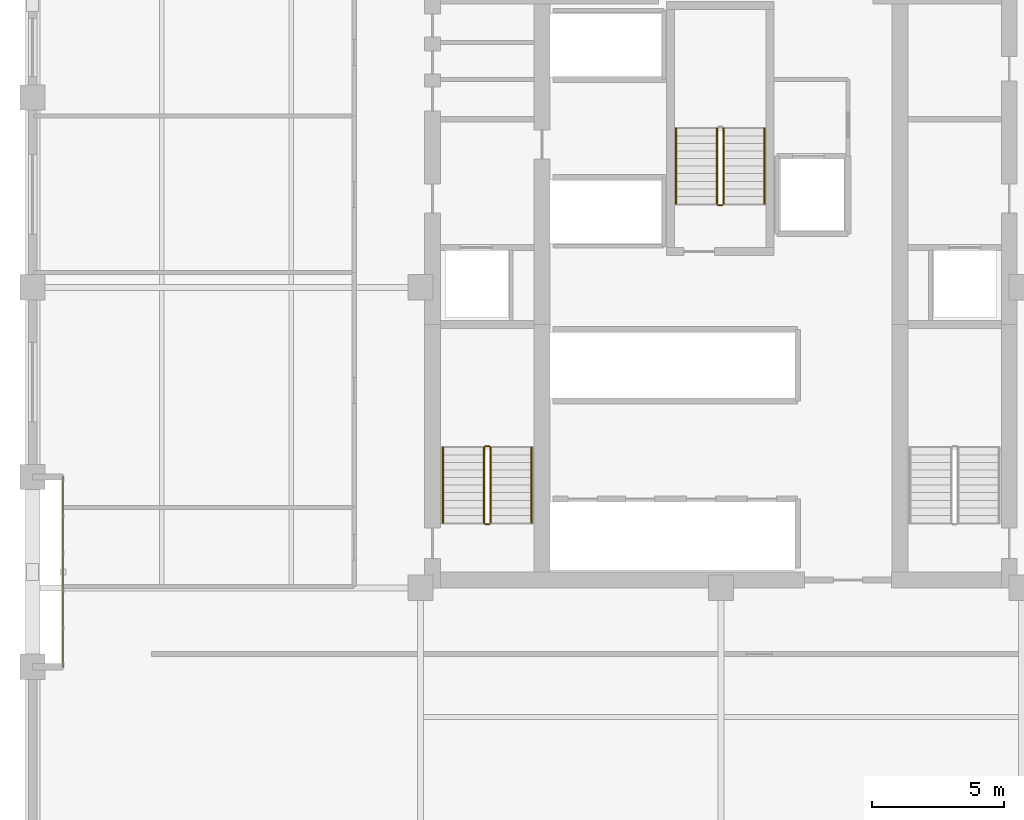
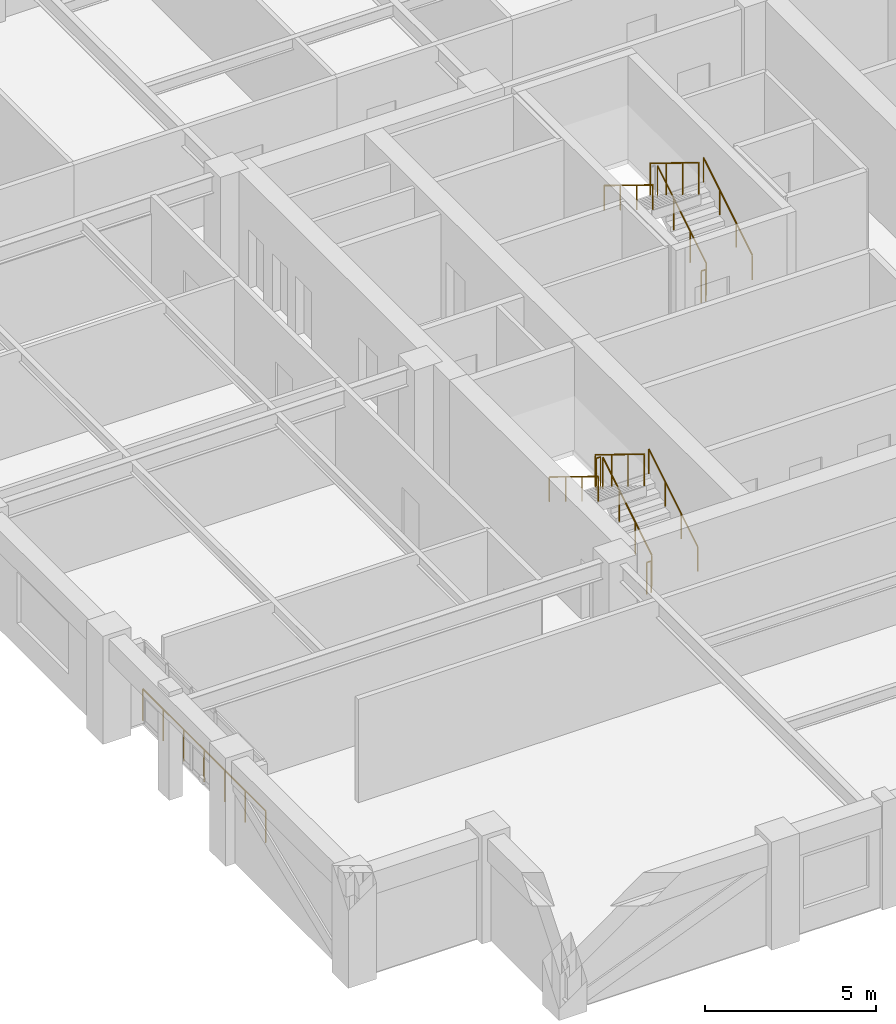
# One storey, part 10 of 11: 12 railings.
"""IFC4 building model written with IfcOpenShell, lengths in metres."""

from ifc_helpers import new_model, si_unit, direction, frame, origin, origin_2d, place, context, subcontext, project, spatial, circle, extrude, material, type_object, element, save


model = new_model("IFC4")

# Units and contexts
model_context = context("Model", 3, precision=1e-05, world=origin(), true_north=direction((0.0, 1.0)))
body_context = subcontext(model_context, "Body", "Model", "MODEL_VIEW")
ifc_project = project(units=[si_unit("LENGTHUNIT", "METRE"), si_unit("AREAUNIT", "SQUARE_METRE"), si_unit("VOLUMEUNIT", "CUBIC_METRE"), si_unit("PLANEANGLEUNIT", "RADIAN"), si_unit("MASSUNIT", "GRAM", prefix="KILO")], contexts=[model_context])

# Site, building, storey
site_placement = place(None, origin())
site = spatial("IfcSite", under=ifc_project, at=site_placement, CompositionType="ELEMENT")
building_placement = place(site_placement, origin())
building = spatial("IfcBuilding", under=site, at=building_placement, Name="Nhamokura Convention Tower", CompositionType="ELEMENT")
storey_placement = place(building_placement, frame((0.0, 0.0, 168.35009765625)))
storey = spatial("IfcBuildingStorey", under=building, at=storey_placement, Name="L41", CompositionType="ELEMENT", Elevation=168.35009765625)

# Railings
ifc_material_1 = material(Name="Anodised bronze stainless steel", Category="steel")
railing_type_1 = type_object("IfcRailingType", Name="StairWallHandrail_900", PredefinedType="HANDRAIL", material=ifc_material_1)
railing_1_placement = place(storey_placement, frame((24.85009765625, 23.10009765625, 0.1748046875)))
element("IfcRailing", 1, at=railing_1_placement, inside=storey, type_object=railing_type_1, Name="L41 ST-01 stair handrail 1", PredefinedType="HANDRAIL", context=body_context, shape_type="SweptSolid", body=[
    extrude(circle(Radius=0.02392578125, at=origin_2d()), frame((0.0, 0.0, 0.8759765625), z_axis=(0.0, 0.852159232446, 0.523282564737), x_axis=(-1.0, 0.0, 0.0)), (0.0, 0.0, 1.0), 3.34423828125),
    extrude(circle(Radius=0.02099609375, at=origin_2d()), origin(), (0.0, 0.0, 1.0), 0.851806640625),
    extrude(circle(Radius=0.02099609375, at=origin_2d()), frame((0.0, 0.949951171875, 0.583251953125)), (0.0, 0.0, 1.0), 0.851806640625),
    extrude(circle(Radius=0.02099609375, at=origin_2d()), frame((0.0, 1.89990234375, 1.166748046875)), (0.0, 0.0, 1.0), 0.851806640625),
    extrude(circle(Radius=0.02099609375, at=origin_2d()), frame((0.0, 2.849853515625, 1.75)), (0.0, 0.0, 1.0), 0.851806640625),
])
railing_2_placement = place(storey_placement, frame((21.5, 25.949951171875, 2.099853515625)))
element("IfcRailing", 2, at=railing_2_placement, inside=storey, type_object=railing_type_1, Name="L41 ST-01 stair handrail 2", PredefinedType="HANDRAIL", context=body_context, shape_type="SweptSolid", body=[
    extrude(circle(Radius=0.02392578125, at=origin_2d()), frame((0.0, 0.0, 0.8759765625), z_axis=(0.0, -0.852159232446, 0.523282564737), x_axis=(1.0, 0.0, 0.0)), (0.0, 0.0, 1.0), 3.34423828125),
    extrude(circle(Radius=0.02099609375, at=origin_2d()), origin(), (0.0, 0.0, 1.0), 0.851806640625),
    extrude(circle(Radius=0.02099609375, at=origin_2d()), frame((0.0, -0.949951171875, 0.583251953125)), (0.0, 0.0, 1.0), 0.851806640625),
    extrude(circle(Radius=0.02099609375, at=origin_2d()), frame((0.0, -1.89990234375, 1.166748046875)), (0.0, 0.0, 1.0), 0.851806640625),
    extrude(circle(Radius=0.02099609375, at=origin_2d()), frame((0.0, -2.849853515625, 1.75)), (0.0, 0.0, 1.0), 0.851806640625),
])
railing_3_placement = place(storey_placement, frame((33.64990234375, 35.14990234375, 0.1748046875)))
element("IfcRailing", 3, at=railing_3_placement, inside=storey, type_object=railing_type_1, Name="L41 ST-03 stair handrail 1", PredefinedType="HANDRAIL", context=body_context, shape_type="SweptSolid", body=[
    extrude(circle(Radius=0.02392578125, at=origin_2d()), frame((0.0, 0.0, 0.8759765625), z_axis=(0.0, 0.852179220489, 0.52325001306), x_axis=(-1.0, 0.0, 0.0)), (0.0, 0.0, 1.0), 3.344482421875),
    extrude(circle(Radius=0.02099609375, at=origin_2d()), origin(), (0.0, 0.0, 1.0), 0.851806640625),
    extrude(circle(Radius=0.02099609375, at=origin_2d()), frame((0.0, 0.949951171875, 0.583251953125)), (0.0, 0.0, 1.0), 0.851806640625),
    extrude(circle(Radius=0.02099609375, at=origin_2d()), frame((0.0, 1.900146484375, 1.166748046875)), (0.0, 0.0, 1.0), 0.851806640625),
    extrude(circle(Radius=0.02099609375, at=origin_2d()), frame((0.0, 2.85009765625, 1.75)), (0.0, 0.0, 1.0), 0.851806640625),
])
railing_4_placement = place(storey_placement, frame((30.300048828125, 38.0, 2.099853515625)))
element("IfcRailing", 4, at=railing_4_placement, inside=storey, type_object=railing_type_1, Name="L41 ST-03 stair handrail 2", PredefinedType="HANDRAIL", context=body_context, shape_type="SweptSolid", body=[
    extrude(circle(Radius=0.02392578125, at=origin_2d()), frame((0.0, 0.0, 0.8759765625), z_axis=(0.0, -0.852179220489, 0.52325001306), x_axis=(1.0, 0.0, 0.0)), (0.0, 0.0, 1.0), 3.344482421875),
    extrude(circle(Radius=0.02099609375, at=origin_2d()), origin(), (0.0, 0.0, 1.0), 0.851806640625),
    extrude(circle(Radius=0.02099609375, at=origin_2d()), frame((0.0, -0.949951171875, 0.583251953125)), (0.0, 0.0, 1.0), 0.851806640625),
    extrude(circle(Radius=0.02099609375, at=origin_2d()), frame((0.0, -1.900146484375, 1.166748046875)), (0.0, 0.0, 1.0), 0.851806640625),
    extrude(circle(Radius=0.02099609375, at=origin_2d()), frame((0.0, -2.85009765625, 1.75)), (0.0, 0.0, 1.0), 0.851806640625),
])
ifc_material_2 = material(Name="Painted tubular steel", Category="steel")
railing_type_2 = type_object("IfcRailingType", Name="StairWellGuardrail_1150", PredefinedType="GUARDRAIL", material=ifc_material_2)
railing_5_placement = place(storey_placement, frame((23.300048828125, 23.10009765625, 0.1748046875)))
element("IfcRailing", 5, at=railing_5_placement, inside=storey, type_object=railing_type_2, Name="L41 ST-01 stair guard 1", PredefinedType="GUARDRAIL", context=body_context, shape_type="SweptSolid", body=[
    extrude(circle(Radius=0.02392578125, at=origin_2d()), frame((0.0, 0.0, 1.1259765625), z_axis=(0.0, 0.852159232446, 0.523282564737), x_axis=(-1.0, 0.0, 0.0)), (0.0, 0.0, 1.0), 3.34423828125),
    extrude(circle(Radius=0.02099609375, at=origin_2d()), origin(), (0.0, 0.0, 1.0), 1.101806640625),
    extrude(circle(Radius=0.02099609375, at=origin_2d()), frame((0.0, 0.949951171875, 0.583251953125)), (0.0, 0.0, 1.0), 1.101806640625),
    extrude(circle(Radius=0.02099609375, at=origin_2d()), frame((0.0, 1.89990234375, 1.166748046875)), (0.0, 0.0, 1.0), 1.101806640625),
    extrude(circle(Radius=0.02099609375, at=origin_2d()), frame((0.0, 2.849853515625, 1.75)), (0.0, 0.0, 1.0), 1.101806640625),
])
railing_6_placement = place(storey_placement, frame((23.25, 26.0, 1.9248046875)))
element("IfcRailing", 6, at=railing_6_placement, inside=storey, type_object=railing_type_2, Name="L41 ST-01 stair guard 2", PredefinedType="GUARDRAIL", context=body_context, shape_type="SweptSolid", body=[
    extrude(circle(Radius=0.02392578125, at=origin_2d()), frame((0.0, 0.0, 1.1259765625), z_axis=(-1.0, 0.0, 0.0), x_axis=(0.0, -1.0, 0.0)), (0.0, 0.0, 1.0), 0.14990234375),
    extrude(circle(Radius=0.02099609375, at=origin_2d()), origin(), (0.0, 0.0, 1.0), 1.101806640625),
    extrude(circle(Radius=0.02099609375, at=origin_2d()), frame((-0.14990234375, 0.0, 0.0)), (0.0, 0.0, 1.0), 1.101806640625),
])
railing_7_placement = place(storey_placement, frame((23.050048828125, 25.949951171875, 2.099853515625)))
element("IfcRailing", 7, at=railing_7_placement, inside=storey, type_object=railing_type_2, Name="L41 ST-01 stair guard 3", PredefinedType="GUARDRAIL", context=body_context, shape_type="SweptSolid", body=[
    extrude(circle(Radius=0.02392578125, at=origin_2d()), frame((0.0, 0.0, 1.1259765625), z_axis=(0.0, -0.852159232446, 0.523282564737), x_axis=(1.0, 0.0, 0.0)), (0.0, 0.0, 1.0), 3.34423828125),
    extrude(circle(Radius=0.02099609375, at=origin_2d()), origin(), (0.0, 0.0, 1.0), 1.101806640625),
    extrude(circle(Radius=0.02099609375, at=origin_2d()), frame((0.0, -0.949951171875, 0.583251953125)), (0.0, 0.0, 1.0), 1.101806640625),
    extrude(circle(Radius=0.02099609375, at=origin_2d()), frame((0.0, -1.89990234375, 1.166748046875)), (0.0, 0.0, 1.0), 1.101806640625),
    extrude(circle(Radius=0.02099609375, at=origin_2d()), frame((0.0, -2.849853515625, 1.75)), (0.0, 0.0, 1.0), 1.101806640625),
])
railing_8_placement = place(storey_placement, frame((23.25, 23.050048828125, 0.0)))
element("IfcRailing", 8, at=railing_8_placement, inside=storey, type_object=railing_type_2, Name="L41 ST-01 stair guard 4", PredefinedType="GUARDRAIL", context=body_context, shape_type="SweptSolid", body=[
    extrude(circle(Radius=0.02392578125, at=origin_2d()), frame((0.0, 0.0, 1.1259765625), z_axis=(-1.0, 0.0, 0.0), x_axis=(0.0, -1.0, 0.0)), (0.0, 0.0, 1.0), 0.14990234375),
    extrude(circle(Radius=0.02099609375, at=origin_2d()), origin(), (0.0, 0.0, 1.0), 1.101806640625),
    extrude(circle(Radius=0.02099609375, at=origin_2d()), frame((-0.14990234375, 0.0, 0.0)), (0.0, 0.0, 1.0), 1.101806640625),
])
railing_9_placement = place(storey_placement, frame((32.10009765625, 35.14990234375, 0.1748046875)))
element("IfcRailing", 9, at=railing_9_placement, inside=storey, type_object=railing_type_2, Name="L41 ST-03 stair guard 1", PredefinedType="GUARDRAIL", context=body_context, shape_type="SweptSolid", body=[
    extrude(circle(Radius=0.02392578125, at=origin_2d()), frame((0.0, 0.0, 1.1259765625), z_axis=(0.0, 0.852179220489, 0.52325001306), x_axis=(-1.0, 0.0, 0.0)), (0.0, 0.0, 1.0), 3.344482421875),
    extrude(circle(Radius=0.02099609375, at=origin_2d()), origin(), (0.0, 0.0, 1.0), 1.101806640625),
    extrude(circle(Radius=0.02099609375, at=origin_2d()), frame((0.0, 0.949951171875, 0.583251953125)), (0.0, 0.0, 1.0), 1.101806640625),
    extrude(circle(Radius=0.02099609375, at=origin_2d()), frame((0.0, 1.900146484375, 1.166748046875)), (0.0, 0.0, 1.0), 1.101806640625),
    extrude(circle(Radius=0.02099609375, at=origin_2d()), frame((0.0, 2.85009765625, 1.75)), (0.0, 0.0, 1.0), 1.101806640625),
])
railing_10_placement = place(storey_placement, frame((31.85009765625, 38.0, 2.099853515625)))
element("IfcRailing", 10, at=railing_10_placement, inside=storey, type_object=railing_type_2, Name="L41 ST-03 stair guard 3", PredefinedType="GUARDRAIL", context=body_context, shape_type="SweptSolid", body=[
    extrude(circle(Radius=0.02392578125, at=origin_2d()), frame((0.0, 0.0, 1.1259765625), z_axis=(0.0, -0.852179220489, 0.52325001306), x_axis=(1.0, 0.0, 0.0)), (0.0, 0.0, 1.0), 3.344482421875),
    extrude(circle(Radius=0.02099609375, at=origin_2d()), origin(), (0.0, 0.0, 1.0), 1.101806640625),
    extrude(circle(Radius=0.02099609375, at=origin_2d()), frame((0.0, -0.949951171875, 0.583251953125)), (0.0, 0.0, 1.0), 1.101806640625),
    extrude(circle(Radius=0.02099609375, at=origin_2d()), frame((0.0, -1.900146484375, 1.166748046875)), (0.0, 0.0, 1.0), 1.101806640625),
    extrude(circle(Radius=0.02099609375, at=origin_2d()), frame((0.0, -2.85009765625, 1.75)), (0.0, 0.0, 1.0), 1.101806640625),
])
railing_11_placement = place(storey_placement, frame((32.050048828125, 35.10009765625, 0.0)))
element("IfcRailing", 11, at=railing_11_placement, inside=storey, type_object=railing_type_2, Name="L41 ST-03 stair guard 4", PredefinedType="GUARDRAIL", context=body_context, shape_type="SweptSolid", body=[
    extrude(circle(Radius=0.02392578125, at=origin_2d()), frame((0.0, 0.0, 1.1259765625), z_axis=(-1.0, 0.0, 0.0), x_axis=(0.0, -1.0, 0.0)), (0.0, 0.0, 1.0), 0.150146484375),
    extrude(circle(Radius=0.02099609375, at=origin_2d()), origin(), (0.0, 0.0, 1.0), 1.101806640625),
    extrude(circle(Radius=0.02099609375, at=origin_2d()), frame((-0.150146484375, 0.0, 0.0)), (0.0, 0.0, 1.0), 1.101806640625),
])
ifc_material_3 = material(Name="Anodised bronze stainless steel", Category="steel")
railing_type_3 = type_object("IfcRailingType", Name="TerraceGuardrail_1150", PredefinedType="GUARDRAIL", material=ifc_material_3)
railing_12_placement = place(storey_placement, frame((7.14990234375, 17.666748046875, 0.0)))
element("IfcRailing", 12, at=railing_12_placement, inside=storey, type_object=railing_type_3, Name="L41 Scale-Slot Edge Guardrail WEST 1", PredefinedType="GUARDRAIL", context=body_context, shape_type="SweptSolid", body=[
    extrude(circle(Radius=0.02392578125, at=origin_2d()), frame((0.0, 0.0, 1.1259765625), z_axis=(0.0, 1.0, 0.0), x_axis=(-1.0, 0.0, 0.0)), (0.0, 0.0, 1.0), 7.16650390625),
    extrude(circle(Radius=0.02099609375, at=origin_2d()), origin(), (0.0, 0.0, 1.0), 1.101806640625),
    extrude(circle(Radius=0.02099609375, at=origin_2d()), frame((0.0, 1.1943359375, 0.0)), (0.0, 0.0, 1.0), 1.101806640625),
    extrude(circle(Radius=0.02099609375, at=origin_2d()), frame((0.0, 2.388916015625, 0.0)), (0.0, 0.0, 1.0), 1.101806640625),
    extrude(circle(Radius=0.02099609375, at=origin_2d()), frame((0.0, 3.583251953125, 0.0)), (0.0, 0.0, 1.0), 1.101806640625),
    extrude(circle(Radius=0.02099609375, at=origin_2d()), frame((0.0, 4.777587890625, 0.0)), (0.0, 0.0, 1.0), 1.101806640625),
    extrude(circle(Radius=0.02099609375, at=origin_2d()), frame((0.0, 5.97216796875, 0.0)), (0.0, 0.0, 1.0), 1.101806640625),
    extrude(circle(Radius=0.02099609375, at=origin_2d()), frame((0.0, 7.16650390625, 0.0)), (0.0, 0.0, 1.0), 1.101806640625),
])

save(model, "model.ifc")
